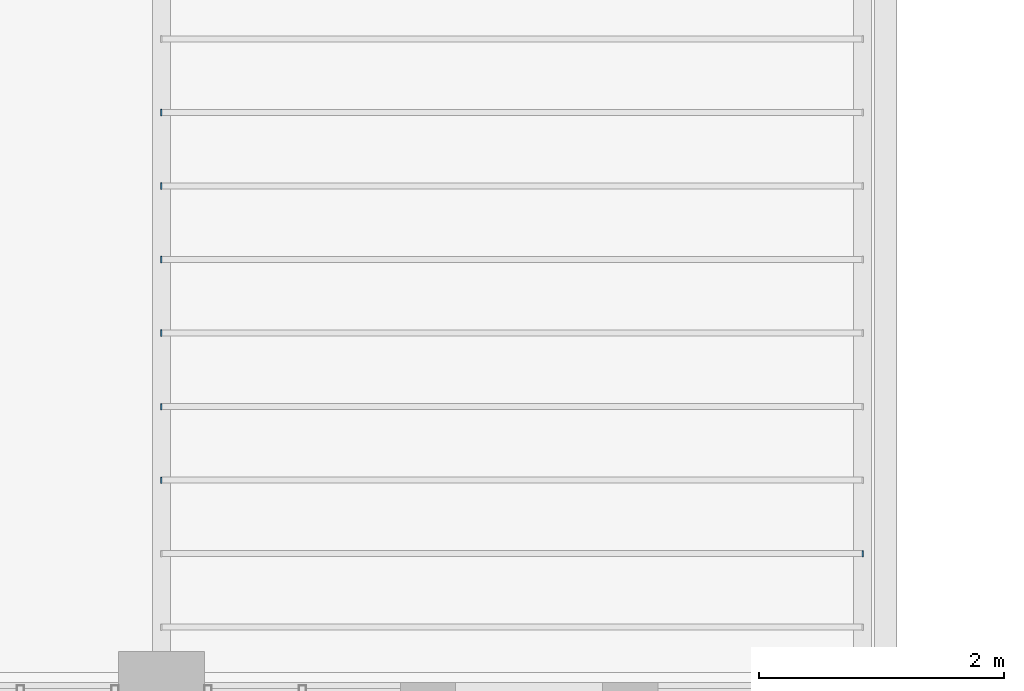
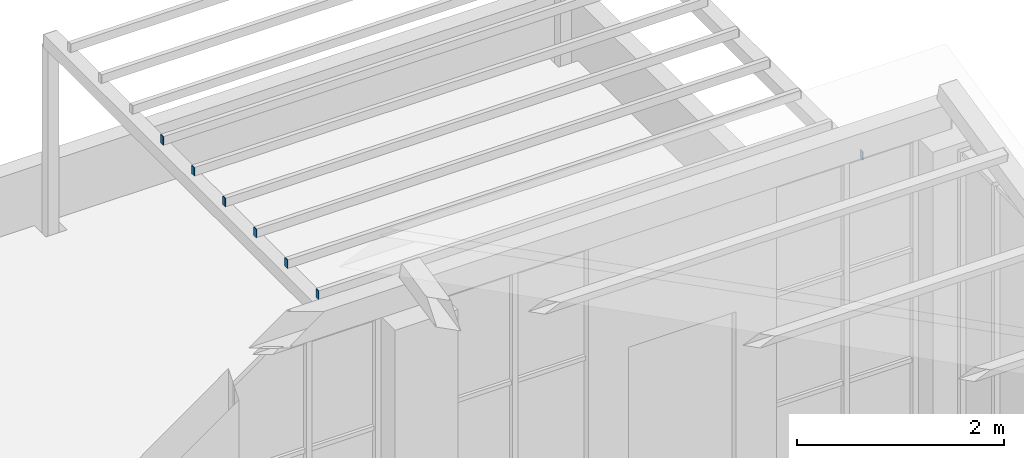
# One storey, part 46 of 51: 7 discrete accessories.
"""IFC4 building model written with IfcOpenShell, lengths in metres."""

from ifc_helpers import new_model, si_unit, direction, frame, origin, origin_2d, place, context, subcontext, project, spatial, rectangle, extrude, material, material_profile, profile_set, type_object, element, save


model = new_model("IFC4")

# Units and contexts
model_context = context("Model", 3, precision=1e-05, world=origin(), true_north=direction((0.0, 1.0)))
body_context = subcontext(model_context, "Body", "Model", "MODEL_VIEW")
ifc_project = project(units=[si_unit("LENGTHUNIT", "METRE"), si_unit("AREAUNIT", "SQUARE_METRE"), si_unit("VOLUMEUNIT", "CUBIC_METRE"), si_unit("PLANEANGLEUNIT", "RADIAN"), si_unit("MASSUNIT", "GRAM", prefix="KILO")], contexts=[model_context])

# Site, building, storey
site_placement = place(None, origin())
site = spatial("IfcSite", under=ifc_project, at=site_placement, CompositionType="ELEMENT")
building_placement = place(site_placement, origin())
building = spatial("IfcBuilding", under=site, at=building_placement, Name="Laocheng Heights Fire and Rescue Headquarters", CompositionType="ELEMENT")
storey_placement = place(building_placement, frame((0.0, 0.0, 21.0)))
storey = spatial("IfcBuildingStorey", under=building, at=storey_placement, Name="L05", CompositionType="ELEMENT", Elevation=21.0)

# Discrete accessories
ifc_material = material(Name="Steel Q355B", Category="steel")
ifc_material_profile = material_profile(ifc_material, rectangle(XDim=0.050048828125, YDim=0.10009765625, at=origin_2d()), Name="END CAP PLATE 50 x 100 x 8 FOR STEEL TRELLIS JOIST RHS 100x50x4")
ifc_profile_set = profile_set([ifc_material_profile], Name="Steel Q355B")
discrete_accessory_type = type_object("IfcDiscreteAccessoryType", Name="END CAP PLATE 50 x 100 x 8 FOR STEEL TRELLIS JOIST RHS 100x50x4", PredefinedType="BRACKET", material=ifc_profile_set)
for number, where, z_axis, x_axis, name in (
    (1, (107.719970703125, 51.550048828125, 2.75), (1.0, 0.0, 0.0), (0.0, 1.0, 0.0), "Cap plate at Trellis crew garden joist end 2"),
    (2, (101.991943359375, 52.14990234375, 2.75), (1.0, 0.0, 0.0), (0.0, 1.0, 0.0), "Cap plate at Trellis crew garden joist end 1"),
    (3, (101.991943359375, 52.75, 2.75), (1.0, 0.0, 0.0), (0.0, 1.0, 0.0), "Cap plate at Trellis crew garden joist end 1"),
    (4, (101.991943359375, 53.35009765625, 2.75), (1.0, 0.0, 0.0), (0.0, 1.0, 0.0), "Cap plate at Trellis crew garden joist end 1"),
    (5, (101.991943359375, 53.949951171875, 2.75), (1.0, 0.0, 0.0), (0.0, 1.0, 0.0), "Cap plate at Trellis crew garden joist end 1"),
    (6, (101.991943359375, 54.550048828125, 2.75), (1.0, 0.0, 0.0), (0.0, 1.0, 0.0), "Cap plate at Trellis crew garden joist end 1"),
    (7, (101.991943359375, 55.14990234375, 2.75), (1.0, 0.0, 0.0), (0.0, 1.0, 0.0), "Cap plate at Trellis crew garden joist end 1"),
):
    element("IfcDiscreteAccessory", number, at=place(storey_placement, frame(where, z_axis=z_axis, x_axis=x_axis)), inside=storey, type_object=discrete_accessory_type, Name=name, PredefinedType="BRACKET", context=body_context, shape_type="SweptSolid", body=[
        extrude(rectangle(XDim=0.050048828125, YDim=0.10009765625, at=origin_2d()), origin(), (0.0, 0.0, 1.0), 0.008056640625),
    ])

save(model, "model.ifc")
